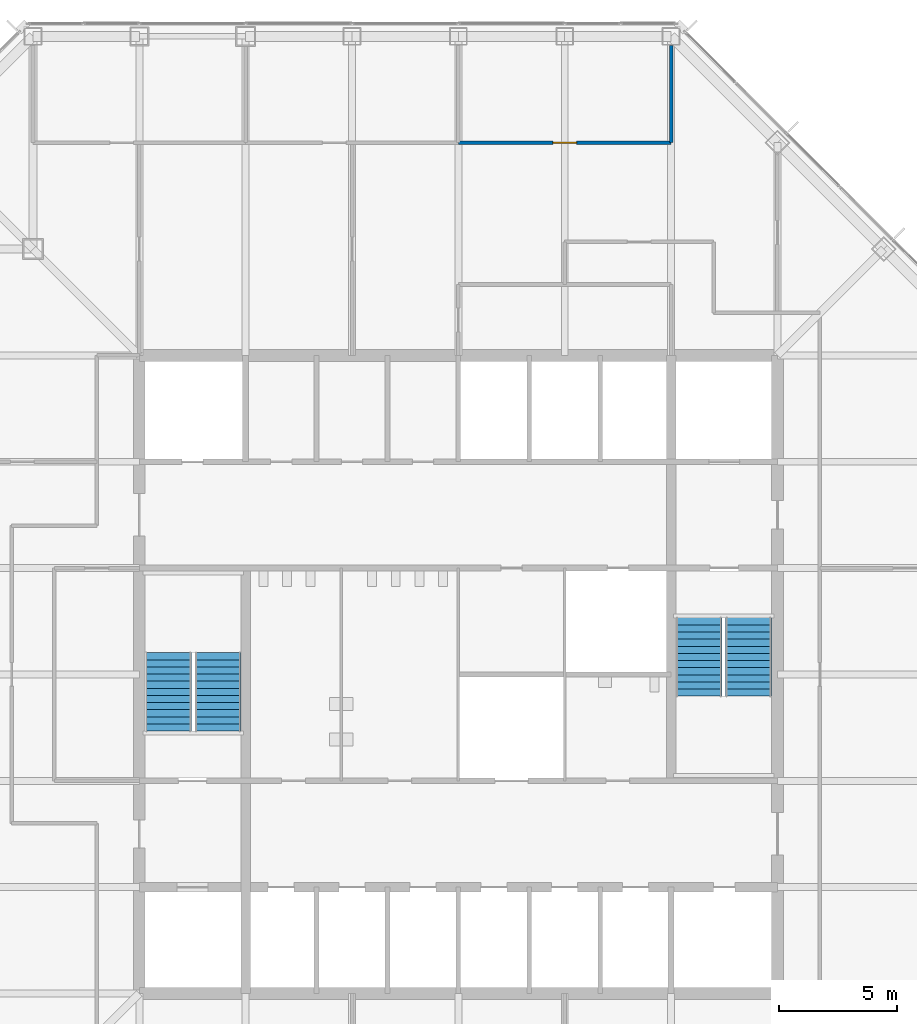
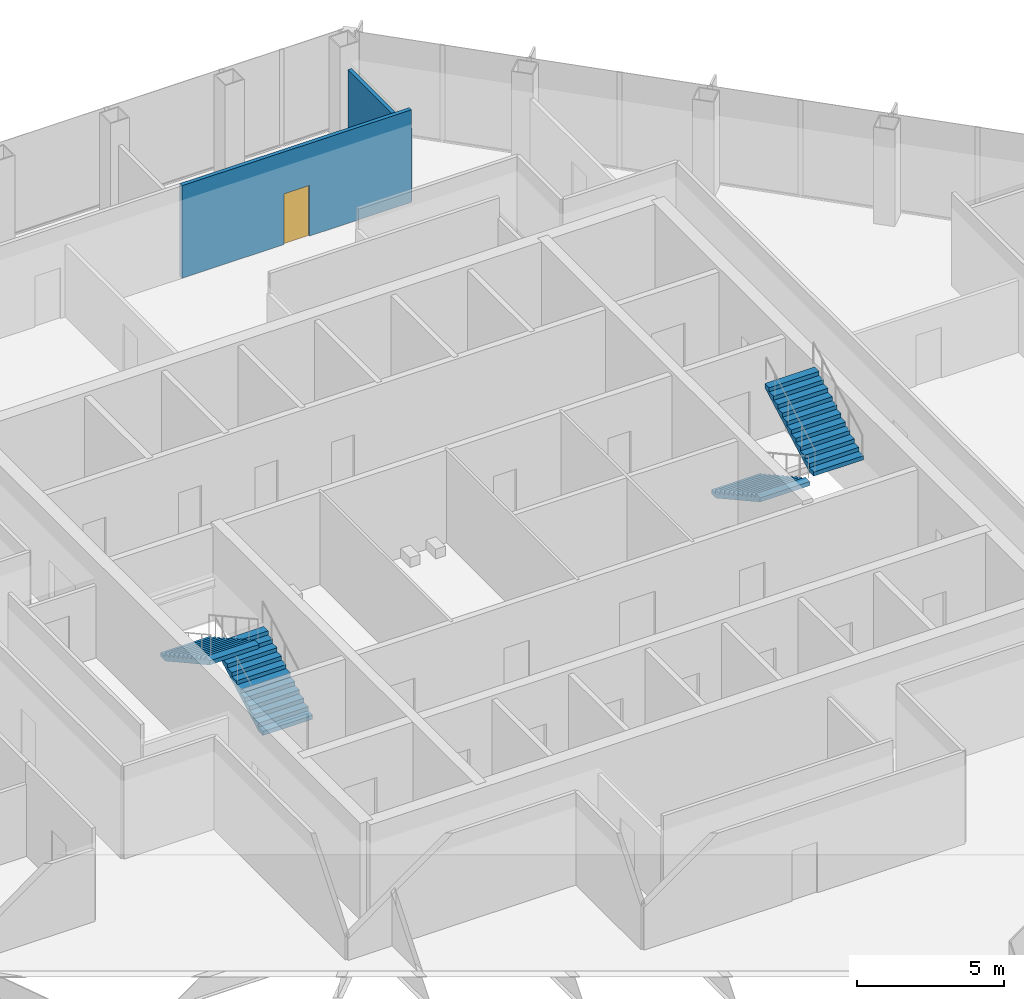
# One storey, part 11 of 13: 4 stair flights, 2 walls, 1 door, 1 opening, 2 elements without a shape of their own.
"""IFC4 building model written with IfcOpenShell, lengths in metres."""

import ifcopenshell
import ifcopenshell.guid

model = None  # the IFC model being written
_history = None  # IfcOwnerHistory: only IFC2X3 demands one
_inside = {}  # id of a spatial element -> (the spatial element, [elements in it])
_under = {}  # id of a project, library or spatial element -> (it, [spatial elements below it])
_declared = {}  # id of a project -> (the project, [libraries it declares])
_typed = {}  # id of a type object -> (the type object, [elements of that type])
_made_of = {}  # id of a material, layer set ... -> (it, [elements and type objects made of it])


def new_model(schema):
    """Start an empty IFC model of exactly this schema.

    Asked for "IFC4X3", IfcOpenShell would pick the latest addendum, in which some entities
    have other attributes; the version numbers below select the first issue.
    IFC2X3 requires an IfcOwnerHistory on every rooted entity: one is made here for all.
    """
    global model, _history
    if schema == "IFC4X3":
        model = ifcopenshell.file(schema_version=(4, 3, 0, 0))
    else:
        model = ifcopenshell.file(schema=schema)
    _inside.clear()
    _under.clear()
    _declared.clear()
    _typed.clear()
    _made_of.clear()
    _history = None
    if model.schema == "IFC2X3":
        org = make("IfcOrganization", Name="unknown")
        user = make(
            "IfcPersonAndOrganization",
            ThePerson=make("IfcPerson", FamilyName="unknown"),
            TheOrganization=org,
        )
        app = make(
            "IfcApplication",
            ApplicationDeveloper=org,
            Version="unknown",
            ApplicationFullName="unknown",
            ApplicationIdentifier="unknown",
        )
        _history = make(
            "IfcOwnerHistory",
            OwningUser=user,
            OwningApplication=app,
            ChangeAction="ADDED",
            CreationDate=0,
        )
    return model


def make(cls, **values):
    """One entity of the class cls with the attributes given. An attribute that is None is left unset."""
    return model.create_entity(
        cls, **{name: value for name, value in values.items() if value is not None}
    )


def rooted(cls, **values):
    """An entity with a GlobalId (a new one), such as an element, a storey or a relation."""
    return make(cls, GlobalId=ifcopenshell.guid.new(), OwnerHistory=_history, **values)


def si_unit(unit_type, name, prefix=None):
    """IfcSIUnit, for example si_unit("LENGTHUNIT", "METRE", prefix="MILLI")."""
    return make("IfcSIUnit", UnitType=unit_type, Prefix=prefix, Name=name)


def assignment(units):
    """IfcUnitAssignment: the units of a project."""
    return None if units is None else make("IfcUnitAssignment", Units=units)


def point(xyz):
    """IfcCartesianPoint."""
    return None if xyz is None else make("IfcCartesianPoint", Coordinates=xyz)


def direction(xyz):
    """IfcDirection."""
    return None if xyz is None else make("IfcDirection", DirectionRatios=xyz)


def frame(location, z_axis=None, x_axis=None):
    """IfcAxis2Placement3D, a coordinate frame: its origin and axes. An axis left out is left unset."""
    return make(
        "IfcAxis2Placement3D",
        Location=point(location),
        Axis=direction(z_axis),
        RefDirection=direction(x_axis),
    )


def frame_2d(location, x_axis=None):
    """IfcAxis2Placement2D, a coordinate frame in the plane: its origin and x axis."""
    return make(
        "IfcAxis2Placement2D", Location=point(location), RefDirection=direction(x_axis)
    )


def origin():
    """The frame at (0, 0, 0) with its axes left unset."""
    return frame((0.0, 0.0, 0.0))


def place(relative_to, where):
    """IfcLocalPlacement: puts the frame where relative to a parent placement (None: the world)."""
    return make(
        "IfcLocalPlacement", PlacementRelTo=relative_to, RelativePlacement=where
    )


def context(
    kind, dimensions, precision=None, world=None, true_north=None, identifier=None
):
    """IfcGeometricRepresentationContext, for example the 3D "Model" context."""
    return make(
        "IfcGeometricRepresentationContext",
        ContextIdentifier=identifier,
        ContextType=kind,
        CoordinateSpaceDimension=dimensions,
        Precision=precision,
        WorldCoordinateSystem=world,
        TrueNorth=true_north,
    )


def subcontext(parent, identifier, kind, view, scale=None):
    """IfcGeometricRepresentationSubContext, for example "Body" below "Model"."""
    return make(
        "IfcGeometricRepresentationSubContext",
        ContextIdentifier=identifier,
        ContextType=kind,
        ParentContext=parent,
        TargetScale=scale,
        TargetView=view,
    )


def project(units=None, contexts=None):
    """IfcProject with its units and contexts."""
    return rooted(
        "IfcProject",
        Name="project",
        RepresentationContexts=contexts,
        UnitsInContext=assignment(units),
    )


def spatial(cls, under=None, at=None, **own):
    """A site, building, storey or space (cls), placed at a placement, below another one or the project."""
    s = rooted(cls, ObjectPlacement=at, **own)
    if under is not None:
        _under.setdefault(under.id(), (under, []))[1].append(s)
    return s


def polyline(points):
    """IfcPolyline through the points."""
    return make("IfcPolyline", Points=[point(p) for p in points])


def profile(cls, at=None, kind="AREA", **sizes):
    """A parametric profile (cls). Its sizes go by their IFC names, for example OverallWidth=200.0."""
    return make(cls, ProfileType=kind, Position=at, **sizes)


def rectangle(**sizes):
    """IfcRectangleProfileDef."""
    return profile("IfcRectangleProfileDef", **sizes)


def outline(outer, holes=None, kind="AREA"):
    """IfcArbitraryClosedProfileDef: a profile drawn as a closed curve; with holes, ...WithVoids."""
    if holes is None:
        return make("IfcArbitraryClosedProfileDef", ProfileType=kind, OuterCurve=outer)
    return make(
        "IfcArbitraryProfileDefWithVoids",
        ProfileType=kind,
        OuterCurve=outer,
        InnerCurves=holes,
    )


def extrude(swept, where, along, depth):
    """IfcExtrudedAreaSolid: the profile swept, set in the frame where, extruded along a direction by depth."""
    return make(
        "IfcExtrudedAreaSolid",
        SweptArea=swept,
        Position=where,
        ExtrudedDirection=direction(along),
        Depth=depth,
    )


def shape(context_of_items, identifier, shape_type, items):
    """IfcShapeRepresentation: the items that make up one representation, for example the "Body"."""
    return make(
        "IfcShapeRepresentation",
        ContextOfItems=context_of_items,
        RepresentationIdentifier=identifier,
        RepresentationType=shape_type,
        Items=items,
    )


def material(Name=None, Category=None):
    """IfcMaterial."""
    return make("IfcMaterial", Name=Name, Category=Category)


def layer(
    of_material, thickness, ventilated=None, Name=None, Category=None, Priority=None
):
    """IfcMaterialLayer: one layer of a wall or slab, of a material (None: an air gap)."""
    return make(
        "IfcMaterialLayer",
        Material=of_material,
        LayerThickness=thickness,
        IsVentilated=ventilated,
        Name=Name,
        Category=Category,
        Priority=Priority,
    )


def layer_set(layers, Name=None):
    """IfcMaterialLayerSet."""
    return make("IfcMaterialLayerSet", MaterialLayers=layers, LayerSetName=Name)


def made_of(thing, what):
    """Note that an element or type object is made of a material, layer set ...; save() writes the relation."""
    if what is not None:
        _made_of.setdefault(what.id(), (what, []))[1].append(thing)
    return thing


def type_object(cls, material=None, **own):
    """A type object (cls), such as IfcWallType, which elements share."""
    return made_of(rooted(cls, **own), material)


def element(
    cls,
    number,
    at=None,
    inside=None,
    cuts=None,
    type_object=None,
    material=None,
    context=None,
    identifier="Body",
    shape_type=None,
    held_by="IfcProductDefinitionShape",
    body=None,
    shapes=None,
    **own,
):
    """One element of the class cls, such as IfcWall. Its Tag is "e" and its number.

    at: its placement. inside: the storey or other place that contains it. cuts: it is an
    opening in that element (IfcRelVoidsElement). A single representation is given by context,
    identifier, shape_type and body (its items); several are given by shapes. held_by: the class
    of the entity that holds the representations. save() writes the other relations.
    """
    e = rooted(cls, Tag="e%d" % number, ObjectPlacement=at, **own)
    if body is not None:
        shapes = [shape(context, identifier, shape_type, body)]
    if shapes is not None:
        e.Representation = make(held_by, Representations=shapes)
    if inside is not None:
        _inside.setdefault(inside.id(), (inside, []))[1].append(e)
    if cuts is not None:
        rooted(
            "IfcRelVoidsElement", RelatingBuildingElement=cuts, RelatedOpeningElement=e
        )
    if type_object is not None:
        _typed.setdefault(type_object.id(), (type_object, []))[1].append(e)
    return made_of(e, material)


def fill(opening, filler):
    """IfcRelFillsElement: the door or window that sits in an opening."""
    return rooted(
        "IfcRelFillsElement",
        RelatingOpeningElement=opening,
        RelatedBuildingElement=filler,
    )


def aggregate(whole, parts):
    """IfcRelAggregates: a whole, such as a stair, and the parts it consists of."""
    return rooted("IfcRelAggregates", RelatingObject=whole, RelatedObjects=parts)


def save(model, path):
    """Write the relations noted so far, then the file.

    IfcRelAggregates (storeys below a building ...), IfcRelContainedInSpatialStructure (elements
    in a storey), IfcRelDefinesByType, IfcRelAssociatesMaterial and IfcRelDeclares: one each for
    every whole, place, type object, material and project.
    """
    for whole, parts in _under.values():
        aggregate(whole, parts)
    for where, things in _inside.values():
        rooted(
            "IfcRelContainedInSpatialStructure",
            RelatedElements=things,
            RelatingStructure=where,
        )
    for kind, things in _typed.values():
        rooted("IfcRelDefinesByType", RelatedObjects=things, RelatingType=kind)
    for what, things in _made_of.values():
        rooted("IfcRelAssociatesMaterial", RelatedObjects=things, RelatingMaterial=what)
    for by, libraries in _declared.values():
        rooted("IfcRelDeclares", RelatingContext=by, RelatedDefinitions=libraries)
    model.write(path)


model = new_model("IFC4")

# Units and contexts
model_context = context("Model", 3, precision=1e-05, world=origin(), true_north=direction((0.0, 1.0)))
body_context = subcontext(model_context, "Body", "Model", "MODEL_VIEW")
ifc_project = project(units=[si_unit("LENGTHUNIT", "METRE"), si_unit("AREAUNIT", "SQUARE_METRE"), si_unit("VOLUMEUNIT", "CUBIC_METRE"), si_unit("PLANEANGLEUNIT", "RADIAN"), si_unit("MASSUNIT", "GRAM", prefix="KILO")], contexts=[model_context])

# Site, building, storey
site_placement = place(None, origin())
site = spatial("IfcSite", under=ifc_project, at=site_placement, CompositionType="ELEMENT")
building_placement = place(site_placement, origin())
building = spatial("IfcBuilding", under=site, at=building_placement, Name="Corais Broadcast Tower", CompositionType="ELEMENT")
storey_placement = place(building_placement, frame((0.0, 0.0, 191.60009765625)))
storey = spatial("IfcBuildingStorey", under=building, at=storey_placement, Name="L44", CompositionType="ELEMENT", Elevation=191.60009765625)

# Wall, opening, door
ifc_material_1 = material(Name="Gypsum board on steel studs", Category="steel")
ifc_layer = layer(ifc_material_1, 0.14990234375)
ifc_layer_set = layer_set([ifc_layer], Name="Gypsum board on steel studs")
wall_type = type_object("IfcWallType", Name="Partition 150", PredefinedType="PARTITIONING", material=ifc_layer_set)
wall_1_placement = place(storey_placement, frame((27.0, 49.5, 0.0), z_axis=(0.0, 0.0, 1.0), x_axis=(1.0, 0.0, 0.0)))
wall_1 = element("IfcWall", 1, at=wall_1_placement, inside=storey, type_object=wall_type, Name="IW3 partition L44", PredefinedType="PARTITIONING", context=body_context, shape_type="SweptSolid", body=[
    extrude(rectangle(XDim=9.0, YDim=0.14990234375, at=frame_2d((4.5, 0.0))), origin(), (0.0, 0.0, 1.0), 3.83984375),
])
opening_placement = place(wall_1_placement, frame((4.0, 0.0, 0.0)))
opening = element("IfcOpeningElement", 2, at=opening_placement, cuts=wall_1, Name="Opening D1", PredefinedType="OPENING", context=body_context, shape_type="SweptSolid", body=[
    extrude(rectangle(XDim=1.0, YDim=2.10009765625, at=frame_2d((0.5, 1.050048828125))), frame((0.0, 0.0849609375, 0.0), z_axis=(0.0, -1.0, 0.0), x_axis=(1.0, 0.0, 0.0)), (0.0, 0.0, 1.0), 0.169921875),
])
ifc_material_2 = material(Name="Timber door", Category="wood")
door_type = type_object("IfcDoorType", Name="Single door 1000x2100", OperationType="SINGLE_SWING_LEFT", PredefinedType="DOOR", material=ifc_material_2)
door_placement = place(opening_placement, origin())
door = element("IfcDoor", 3, at=door_placement, inside=storey, type_object=door_type, Name="D1 People services office door", OperationType="SINGLE_SWING_LEFT", OverallHeight=2.10009765625, OverallWidth=1.0, PredefinedType="DOOR", context=body_context, shape_type="SweptSolid", body=[
    extrude(rectangle(XDim=1.0, YDim=2.10009765625, at=frame_2d((0.5, 1.050048828125))), frame((0.0, 0.02490234375, 0.0), z_axis=(0.0, -1.0, 0.0), x_axis=(1.0, 0.0, 0.0)), (0.0, 0.0, 1.0), 0.050048828125),
])
fill(opening, door)

# Wall
wall_2_placement = place(storey_placement, frame((36.0, 49.5, 0.0), z_axis=(0.0, 0.0, 1.0), x_axis=(0.0, 1.0, 0.0)))
element("IfcWall", 4, at=wall_2_placement, inside=storey, type_object=wall_type, Name="IW3 partition L44", PredefinedType="PARTITIONING", context=body_context, shape_type="SweptSolid", body=[
    extrude(rectangle(XDim=4.114990234375, YDim=0.14990234375, at=frame_2d((2.0576171875, 0.0))), origin(), (0.0, 0.0, 1.0), 2.989013671875),
])

# Stair, stair flights
ifc_material_3 = material(Name="Concrete C30/37", Category="concrete")
stair_type = type_object("IfcStairType", Name="Half-turn stair 4000", PredefinedType="HALF_TURN_STAIR", material=ifc_material_3)
stair_1_placement = place(storey_placement, origin())
stair_1 = element("IfcStair", 5, at=stair_1_placement, inside=storey, type_object=stair_type, Name="Stair A L44", PredefinedType="HALF_TURN_STAIR")
ifc_material_4 = material(Name="Concrete C30/37", Category="concrete")
stair_flight_type = type_object("IfcStairFlightType", Name="Stair flight 4000", PredefinedType="STRAIGHT", material=ifc_material_4)
stair_flight_1_placement = place(storey_placement, frame((16.824951171875, 24.60009765625, 0.0), z_axis=(0.0, 0.0, 1.0), x_axis=(0.0, 1.0, 0.0)))
stair_flight_1 = element("IfcStairFlight", 6, at=stair_flight_1_placement, type_object=stair_flight_type, Name="STA flight 1", NumberOfRisers=12, NumberOfTreads=11, PredefinedType="STRAIGHT", RiserHeight=0.166666667, TreadLength=0.302, context=body_context, shape_type="SweptSolid", body=[
    extrude(outline(polyline([(0.0, 0.0), (0.0, 0.166748046875), (0.302001953125, 0.166748046875), (0.302001953125, 0.333251953125), (0.60400390625, 0.333251953125), (0.60400390625, 0.5), (0.906005859375, 0.5), (0.906005859375, 0.666748046875), (1.2080078125, 0.666748046875), (1.2080078125, 0.833251953125), (1.510009765625, 0.833251953125), (1.510009765625, 1.0), (1.81201171875, 1.0), (1.81201171875, 1.166748046875), (2.114013671875, 1.166748046875), (2.114013671875, 1.333251953125), (2.416015625, 1.333251953125), (2.416015625, 1.5), (2.718017578125, 1.5), (2.718017578125, 1.666748046875), (3.02001953125, 1.666748046875), (3.02001953125, 1.833251953125), (3.322021484375, 1.833251953125), (3.322021484375, 2.0), (3.322021484375, 1.662109375), (0.310302734375, 0.0), (0.0, 0.0)])), frame((0.0, 0.97509765625, 0.0), z_axis=(0.0, -1.0, 0.0), x_axis=(1.0, 0.0, 0.0)), (0.0, 0.0, 1.0), 1.949951171875),
])
stair_flight_2_placement = place(storey_placement, frame((14.72509765625, 27.922119140625, 2.0), z_axis=(0.0, 0.0, 1.0), x_axis=(0.0, -1.0, 0.0)))
stair_flight_2 = element("IfcStairFlight", 7, at=stair_flight_2_placement, type_object=stair_flight_type, Name="STA flight 2", NumberOfRisers=12, NumberOfTreads=11, PredefinedType="STRAIGHT", RiserHeight=0.166666667, TreadLength=0.302, context=body_context, shape_type="SweptSolid", body=[
    extrude(outline(polyline([(0.0, 0.0), (0.0, 0.166748046875), (0.302001953125, 0.166748046875), (0.302001953125, 0.333251953125), (0.60400390625, 0.333251953125), (0.60400390625, 0.5), (0.906005859375, 0.5), (0.906005859375, 0.666748046875), (1.2080078125, 0.666748046875), (1.2080078125, 0.833251953125), (1.510009765625, 0.833251953125), (1.510009765625, 1.0), (1.81201171875, 1.0), (1.81201171875, 1.166748046875), (2.114013671875, 1.166748046875), (2.114013671875, 1.333251953125), (2.416015625, 1.333251953125), (2.416015625, 1.5), (2.718017578125, 1.5), (2.718017578125, 1.666748046875), (3.02001953125, 1.666748046875), (3.02001953125, 1.833251953125), (3.322021484375, 1.833251953125), (3.322021484375, 2.0), (3.322021484375, 1.662109375), (0.310302734375, 0.0), (0.0, 0.0)])), frame((0.0, 0.97509765625, 0.0), z_axis=(0.0, -1.0, 0.0), x_axis=(1.0, 0.0, 0.0)), (0.0, 0.0, 1.0), 1.949951171875),
])
aggregate(stair_1, [stair_flight_1, stair_flight_2])

stair_2_placement = place(storey_placement, origin())
stair_2 = element("IfcStair", 8, at=stair_2_placement, inside=storey, type_object=stair_type, Name="Stair B L44", PredefinedType="HALF_TURN_STAIR")
stair_flight_3_placement = place(storey_placement, frame((37.175048828125, 29.39990234375, 0.0), z_axis=(0.0, 0.0, 1.0), x_axis=(0.0, -1.0, 0.0)))
stair_flight_3 = element("IfcStairFlight", 9, at=stair_flight_3_placement, type_object=stair_flight_type, Name="STB flight 1", NumberOfRisers=12, NumberOfTreads=11, PredefinedType="STRAIGHT", RiserHeight=0.166666667, TreadLength=0.302, context=body_context, shape_type="SweptSolid", body=[
    extrude(outline(polyline([(0.0, 0.0), (0.0, 0.166748046875), (0.302001953125, 0.166748046875), (0.302001953125, 0.333251953125), (0.60400390625, 0.333251953125), (0.60400390625, 0.5), (0.906005859375, 0.5), (0.906005859375, 0.666748046875), (1.2080078125, 0.666748046875), (1.2080078125, 0.833251953125), (1.510009765625, 0.833251953125), (1.510009765625, 1.0), (1.81201171875, 1.0), (1.81201171875, 1.166748046875), (2.114013671875, 1.166748046875), (2.114013671875, 1.333251953125), (2.416015625, 1.333251953125), (2.416015625, 1.5), (2.718017578125, 1.5), (2.718017578125, 1.666748046875), (3.02001953125, 1.666748046875), (3.02001953125, 1.833251953125), (3.322021484375, 1.833251953125), (3.322021484375, 2.0), (3.322021484375, 1.662109375), (0.310302734375, 0.0), (0.0, 0.0)])), frame((0.0, 0.97509765625, 0.0), z_axis=(0.0, -1.0, 0.0), x_axis=(1.0, 0.0, 0.0)), (0.0, 0.0, 1.0), 1.949951171875),
])
stair_flight_4_placement = place(storey_placement, frame((39.27490234375, 26.077880859375, 2.0), z_axis=(0.0, 0.0, 1.0), x_axis=(0.0, 1.0, 0.0)))
stair_flight_4 = element("IfcStairFlight", 10, at=stair_flight_4_placement, type_object=stair_flight_type, Name="STB flight 2", NumberOfRisers=12, NumberOfTreads=11, PredefinedType="STRAIGHT", RiserHeight=0.166666667, TreadLength=0.302, context=body_context, shape_type="SweptSolid", body=[
    extrude(outline(polyline([(0.0, 0.0), (0.0, 0.166748046875), (0.302001953125, 0.166748046875), (0.302001953125, 0.333251953125), (0.60400390625, 0.333251953125), (0.60400390625, 0.5), (0.906005859375, 0.5), (0.906005859375, 0.666748046875), (1.2080078125, 0.666748046875), (1.2080078125, 0.833251953125), (1.510009765625, 0.833251953125), (1.510009765625, 1.0), (1.81201171875, 1.0), (1.81201171875, 1.166748046875), (2.114013671875, 1.166748046875), (2.114013671875, 1.333251953125), (2.416015625, 1.333251953125), (2.416015625, 1.5), (2.718017578125, 1.5), (2.718017578125, 1.666748046875), (3.02001953125, 1.666748046875), (3.02001953125, 1.833251953125), (3.322021484375, 1.833251953125), (3.322021484375, 2.0), (3.322021484375, 1.662109375), (0.310302734375, 0.0), (0.0, 0.0)])), frame((0.0, 0.97509765625, 0.0), z_axis=(0.0, -1.0, 0.0), x_axis=(1.0, 0.0, 0.0)), (0.0, 0.0, 1.0), 1.949951171875),
])
aggregate(stair_2, [stair_flight_3, stair_flight_4])

save(model, "model.ifc")
